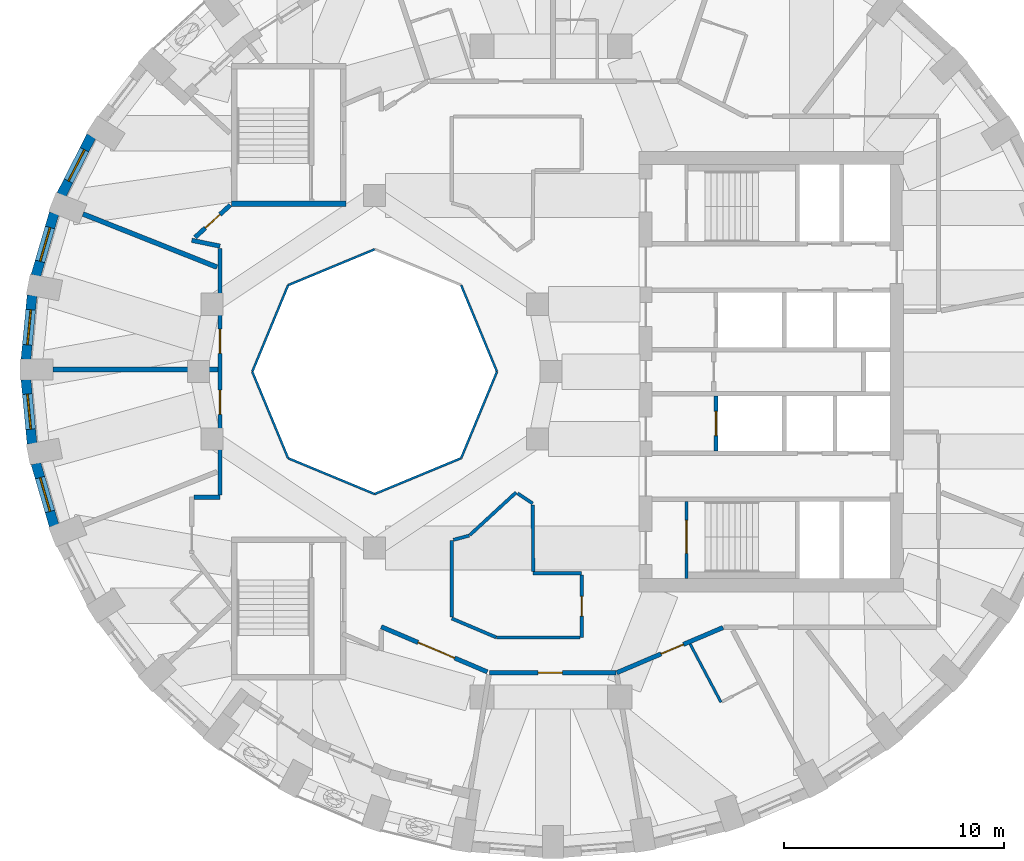
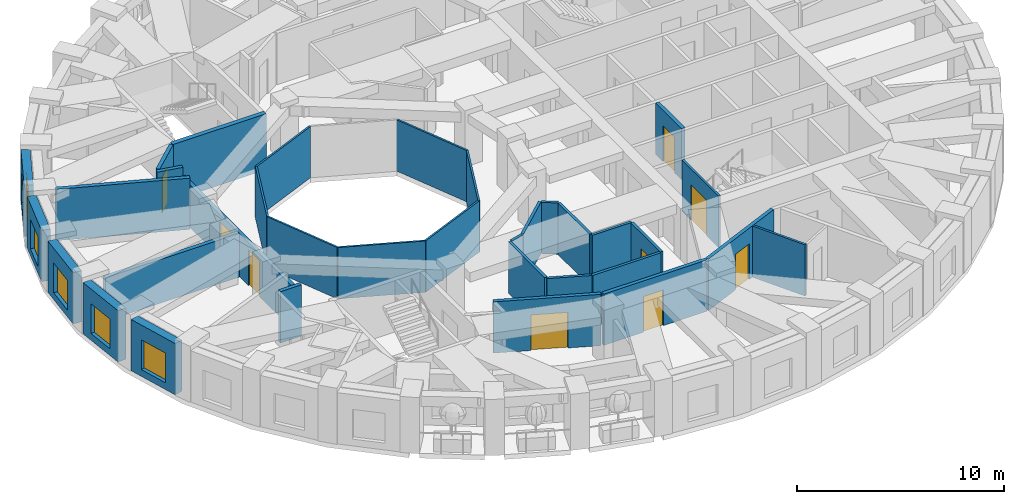
# One storey, part 4 of 12: 34 walls, 9 doors, 5 windows, 14 openings.
"""IFC4 building model written with IfcOpenShell, lengths in metres."""

from ifc_helpers import new_model, si_unit, direction, frame, frame_2d, origin, place, context, subcontext, project, spatial, rectangle, extrude, material, layer, layer_set, type_object, element, fill, save


model = new_model("IFC4")

# Units and contexts
model_context = context("Model", 3, precision=1e-05, world=origin(), true_north=direction((0.0, 1.0)))
body_context = subcontext(model_context, "Body", "Model", "MODEL_VIEW")
ifc_project = project(units=[si_unit("LENGTHUNIT", "METRE"), si_unit("AREAUNIT", "SQUARE_METRE"), si_unit("VOLUMEUNIT", "CUBIC_METRE"), si_unit("PLANEANGLEUNIT", "RADIAN"), si_unit("MASSUNIT", "GRAM", prefix="KILO")], contexts=[model_context])

# Site, building, storey
site_placement = place(None, origin())
site = spatial("IfcSite", under=ifc_project, at=site_placement, CompositionType="ELEMENT")
building_placement = place(site_placement, origin())
building = spatial("IfcBuilding", under=site, at=building_placement, Name="Taillehof Tower", CompositionType="ELEMENT")
storey_placement = place(building_placement, frame((0.0, 0.0, 164.89990234375)))
storey = spatial("IfcBuildingStorey", under=building, at=storey_placement, Name="L46", CompositionType="ELEMENT", Elevation=164.89990234375)

# Walls
ifc_material_1 = material(Name="Fire-resisting glass in steel frame", Category="steel")
ifc_layer_1 = layer(ifc_material_1, 0.10009765625)
ifc_layer_set_1 = layer_set([ifc_layer_1], Name="Atrium fire-resisting screen EI 60 100")
wall_type_1 = type_object("IfcWallType", Name="Atrium fire-resisting screen EI 60 100", PredefinedType="PARTITIONING", material=ifc_layer_set_1)
for number, where, z_axis, x_axis, name in (
    (1, (-2.44580078125, 0.0, 0.0), (0.0, 0.0, 1.0), (-0.382730523909, -0.923860025149, 0.0), "Atrium screen"),
    (2, (-4.07275390625, -3.92724609375, 0.0), (0.0, 0.0, 1.0), (-0.923860025149, -0.382730523909, 0.0), "Atrium screen"),
    (3, (-8.0, -5.55419921875, 0.0), (0.0, 0.0, 1.0), (-0.923860025149, 0.382730523909, 0.0), "Atrium screen"),
    (4, (-11.92724609375, -3.92724609375, 0.0), (0.0, 0.0, 1.0), (-0.382730523909, 0.923860025149, 0.0), "Atrium screen"),
    (5, (-13.55419921875, 0.0, 0.0), (0.0, 0.0, 1.0), (0.382730523909, 0.923860025149, 0.0), "Atrium screen"),
    (6, (-11.92724609375, 3.92724609375, 0.0), (0.0, 0.0, 1.0), (0.923860025149, 0.382730523909, 0.0), "Atrium screen"),
    (7, (-4.07275390625, 3.92724609375, 0.0), (0.0, 0.0, 1.0), (0.382730523909, -0.923860025149, 0.0), "Atrium screen"),
):
    element("IfcWall", number, at=place(storey_placement, frame(where, z_axis=z_axis, x_axis=x_axis)), inside=storey, type_object=wall_type_1, Name=name, PredefinedType="PARTITIONING", context=body_context, shape_type="SweptSolid", body=[
        extrude(rectangle(XDim=4.2509765625, YDim=0.10009765625, at=frame_2d((2.12548828125, 0.0))), origin(), (0.0, 0.0, 1.0), 3.02001953125),
    ])

# Wall, opening, window
ifc_material_2 = material(Name="Brick masonry", Category="masonry")
ifc_layer_2 = layer(ifc_material_2, 0.449951171875)
ifc_layer_set_2 = layer_set([ifc_layer_2], Name="Brick infill wall 450")
wall_type_2 = type_object("IfcWallType", Name="Brick infill wall 450", PredefinedType="SOLIDWALL", material=ifc_layer_set_2)
wall_1_placement = place(storey_placement, frame((-20.859375, 10.697021484375, 0.0), z_axis=(0.0, 0.0, 1.0), x_axis=(-0.454133999889, -0.890933392653, 0.0)))
wall_1 = element("IfcWall", 8, at=wall_1_placement, inside=storey, type_object=wall_type_2, Name="Brick wall L46 bay 16", PredefinedType="SOLIDWALL", context=body_context, shape_type="SweptSolid", body=[
    extrude(rectangle(XDim=2.98583984375, YDim=0.449951171875, at=frame_2d((1.492919921875, 0.0))), origin(), (0.0, 0.0, 1.0), 3.02001953125),
])
opening_1_placement = place(wall_1_placement, frame((0.69287109375, 0.0, 0.39990234375)))
opening_1 = element("IfcOpeningElement", 9, at=opening_1_placement, cuts=wall_1, Name="Opening W3", PredefinedType="OPENING", context=body_context, shape_type="SweptSolid", body=[
    extrude(rectangle(XDim=1.60009765625, YDim=1.75, at=frame_2d((0.800048828125, 0.875))), frame((0.0, 0.23486328125, 0.0), z_axis=(0.0, -1.0, 0.0), x_axis=(1.0, 0.0, 0.0)), (0.0, 0.0, 1.0), 0.469970703125),
])
ifc_material_3 = material(Name="Aluminium window frame with clear double glazing", Category="aluminium")
window_type = type_object("IfcWindowType", Name="Deep-set window 1600x1750", PartitioningType="SINGLE_PANEL", PredefinedType="WINDOW", material=ifc_material_3)
window_1_placement = place(opening_1_placement, origin())
window_1 = element("IfcWindow", 10, at=window_1_placement, inside=storey, type_object=window_type, Name="W3", OverallHeight=1.75, OverallWidth=1.60009765625, PartitioningType="SINGLE_PANEL", PredefinedType="WINDOW", context=body_context, shape_type="SweptSolid", body=[
    extrude(rectangle(XDim=1.60009765625, YDim=1.75, at=frame_2d((0.800048828125, 0.875))), frame((0.0, 0.034912109375, 0.0), z_axis=(0.0, -1.0, 0.0), x_axis=(1.0, 0.0, 0.0)), (0.0, 0.0, 1.0), 0.06005859375),
])
fill(opening_1, window_1)

wall_2_placement = place(storey_placement, frame((-22.55126953125, 7.19091796875, 0.0), z_axis=(0.0, 0.0, 1.0), x_axis=(-0.281125768296, -0.959670934435, 0.0)))
wall_2 = element("IfcWall", 11, at=wall_2_placement, inside=storey, type_object=wall_type_2, Name="Brick wall L46 bay 17", PredefinedType="SOLIDWALL", context=body_context, shape_type="SweptSolid", body=[
    extrude(rectangle(XDim=2.947509765625, YDim=0.449951171875, at=frame_2d((1.4736328125, 0.0))), origin(), (0.0, 0.0, 1.0), 3.02001953125),
])
opening_2_placement = place(wall_2_placement, frame((0.673583984375, 0.0, 0.39990234375)))
opening_2 = element("IfcOpeningElement", 12, at=opening_2_placement, cuts=wall_2, Name="Opening W3", PredefinedType="OPENING", context=body_context, shape_type="SweptSolid", body=[
    extrude(rectangle(XDim=1.60009765625, YDim=1.75, at=frame_2d((0.800048828125, 0.875))), frame((0.0, 0.23486328125, 0.0), z_axis=(0.0, -1.0, 0.0), x_axis=(1.0, 0.0, 0.0)), (0.0, 0.0, 1.0), 0.469970703125),
])
window_2_placement = place(opening_2_placement, origin())
window_2 = element("IfcWindow", 13, at=window_2_placement, inside=storey, type_object=window_type, Name="W3", OverallHeight=1.75, OverallWidth=1.60009765625, PartitioningType="SINGLE_PANEL", PredefinedType="WINDOW", context=body_context, shape_type="SweptSolid", body=[
    extrude(rectangle(XDim=1.60009765625, YDim=1.75, at=frame_2d((0.800048828125, 0.875))), frame((0.0, 0.034912109375, 0.0), z_axis=(0.0, -1.0, 0.0), x_axis=(1.0, 0.0, 0.0)), (0.0, 0.0, 1.0), 0.06005859375),
])
fill(opening_2, window_2)

wall_3_placement = place(storey_placement, frame((-23.5517578125, 3.468505859375, 0.0), z_axis=(0.0, 0.0, 1.0), x_axis=(-0.095265737322, -0.995451876935, 0.0)))
wall_3 = element("IfcWall", 14, at=wall_3_placement, inside=storey, type_object=wall_type_2, Name="Brick wall L46 bay 18", PredefinedType="SOLIDWALL", context=body_context, shape_type="SweptSolid", body=[
    extrude(rectangle(XDim=2.9267578125, YDim=0.449951171875, at=frame_2d((1.46337890625, 0.0))), origin(), (0.0, 0.0, 1.0), 3.02001953125),
])
opening_3_placement = place(wall_3_placement, frame((0.663330078125, 0.0, 0.39990234375)))
opening_3 = element("IfcOpeningElement", 15, at=opening_3_placement, cuts=wall_3, Name="Opening W3", PredefinedType="OPENING", context=body_context, shape_type="SweptSolid", body=[
    extrude(rectangle(XDim=1.60009765625, YDim=1.75, at=frame_2d((0.800048828125, 0.875))), frame((0.0, 0.23486328125, 0.0), z_axis=(0.0, -1.0, 0.0), x_axis=(1.0, 0.0, 0.0)), (0.0, 0.0, 1.0), 0.469970703125),
])
window_3_placement = place(opening_3_placement, origin())
window_3 = element("IfcWindow", 16, at=window_3_placement, inside=storey, type_object=window_type, Name="W3", OverallHeight=1.75, OverallWidth=1.60009765625, PartitioningType="SINGLE_PANEL", PredefinedType="WINDOW", context=body_context, shape_type="SweptSolid", body=[
    extrude(rectangle(XDim=1.60009765625, YDim=1.75, at=frame_2d((0.800048828125, 0.875))), frame((0.0, 0.034912109375, 0.0), z_axis=(0.0, -1.0, 0.0), x_axis=(1.0, 0.0, 0.0)), (0.0, 0.0, 1.0), 0.06005859375),
])
fill(opening_3, window_3)

wall_4_placement = place(storey_placement, frame((-23.83056640625, -0.35498046875, 0.0), z_axis=(0.0, 0.0, 1.0), x_axis=(0.095257827044, -0.995452633924, 0.0)))
wall_4 = element("IfcWall", 17, at=wall_4_placement, inside=storey, type_object=wall_type_2, Name="Brick wall L46 bay 19", PredefinedType="SOLIDWALL", context=body_context, shape_type="SweptSolid", body=[
    extrude(rectangle(XDim=2.927001953125, YDim=0.449951171875, at=frame_2d((1.46337890625, 0.0))), origin(), (0.0, 0.0, 1.0), 3.02001953125),
])
opening_4_placement = place(wall_4_placement, frame((0.663330078125, 0.0, 0.39990234375)))
opening_4 = element("IfcOpeningElement", 18, at=opening_4_placement, cuts=wall_4, Name="Opening W3", PredefinedType="OPENING", context=body_context, shape_type="SweptSolid", body=[
    extrude(rectangle(XDim=1.60009765625, YDim=1.75, at=frame_2d((0.800048828125, 0.875))), frame((0.0, 0.23486328125, 0.0), z_axis=(0.0, -1.0, 0.0), x_axis=(1.0, 0.0, 0.0)), (0.0, 0.0, 1.0), 0.469970703125),
])
window_4_placement = place(opening_4_placement, origin())
window_4 = element("IfcWindow", 19, at=window_4_placement, inside=storey, type_object=window_type, Name="W3", OverallHeight=1.75, OverallWidth=1.60009765625, PartitioningType="SINGLE_PANEL", PredefinedType="WINDOW", context=body_context, shape_type="SweptSolid", body=[
    extrude(rectangle(XDim=1.60009765625, YDim=1.75, at=frame_2d((0.800048828125, 0.875))), frame((0.0, 0.034912109375, 0.0), z_axis=(0.0, -1.0, 0.0), x_axis=(1.0, 0.0, 0.0)), (0.0, 0.0, 1.0), 0.06005859375),
])
fill(opening_4, window_4)

wall_5_placement = place(storey_placement, frame((-23.3798828125, -4.162353515625, 0.0), z_axis=(0.0, 0.0, 1.0), x_axis=(0.281125768296, -0.959670934435, 0.0)))
wall_5 = element("IfcWall", 20, at=wall_5_placement, inside=storey, type_object=wall_type_2, Name="Brick wall L46 bay 20", PredefinedType="SOLIDWALL", context=body_context, shape_type="SweptSolid", body=[
    extrude(rectangle(XDim=2.947509765625, YDim=0.449951171875, at=frame_2d((1.4736328125, 0.0))), origin(), (0.0, 0.0, 1.0), 3.02001953125),
])
opening_5_placement = place(wall_5_placement, frame((0.673583984375, 0.0, 0.39990234375)))
opening_5 = element("IfcOpeningElement", 21, at=opening_5_placement, cuts=wall_5, Name="Opening W3", PredefinedType="OPENING", context=body_context, shape_type="SweptSolid", body=[
    extrude(rectangle(XDim=1.60009765625, YDim=1.75, at=frame_2d((0.800048828125, 0.875))), frame((0.0, 0.23486328125, 0.0), z_axis=(0.0, -1.0, 0.0), x_axis=(1.0, 0.0, 0.0)), (0.0, 0.0, 1.0), 0.469970703125),
])
window_5_placement = place(opening_5_placement, origin())
window_5 = element("IfcWindow", 22, at=window_5_placement, inside=storey, type_object=window_type, Name="W3", OverallHeight=1.75, OverallWidth=1.60009765625, PartitioningType="SINGLE_PANEL", PredefinedType="WINDOW", context=body_context, shape_type="SweptSolid", body=[
    extrude(rectangle(XDim=1.60009765625, YDim=1.75, at=frame_2d((0.800048828125, 0.875))), frame((0.0, 0.034912109375, 0.0), z_axis=(0.0, -1.0, 0.0), x_axis=(1.0, 0.0, 0.0)), (0.0, 0.0, 1.0), 0.06005859375),
])
fill(opening_5, window_5)

# Wall
ifc_material_4 = material(Name="Gypsum board on steel studs, two layers each side", Category="steel")
ifc_layer_3 = layer(ifc_material_4, 0.199951171875)
ifc_layer_set_3 = layer_set([ifc_layer_3], Name="Compartment wall corridor 200")
wall_type_3 = type_object("IfcWallType", Name="Compartment wall corridor 200", PredefinedType="PARTITIONING", material=ifc_layer_set_3)
wall_6_placement = place(storey_placement, frame((-15.0185546875, 5.699951171875, 0.0), z_axis=(0.0, 0.0, 1.0), x_axis=(-0.979555577822, 0.201173730785, 0.0)))
element("IfcWall", 23, at=wall_6_placement, inside=storey, type_object=wall_type_3, Name="Compartment wall", PredefinedType="PARTITIONING", context=body_context, shape_type="SweptSolid", body=[
    extrude(rectangle(XDim=1.308349609375, YDim=0.199951171875, at=frame_2d((0.654296875, 0.0))), origin(), (0.0, 0.0, 1.0), 3.02001953125),
])

# Wall, opening, door
wall_7_placement = place(storey_placement, frame((-16.153564453125, 6.097412109375, 0.0), z_axis=(0.0, 0.0, 1.0), x_axis=(0.736958194284, 0.675938325498, 0.0)))
wall_7 = element("IfcWall", 24, at=wall_7_placement, inside=storey, type_object=wall_type_3, Name="Compartment wall", PredefinedType="PARTITIONING", context=body_context, shape_type="SweptSolid", body=[
    extrude(rectangle(XDim=2.172607421875, YDim=0.199951171875, at=frame_2d((1.08642578125, 0.0))), origin(), (0.0, 0.0, 1.0), 3.02001953125),
])
opening_6_placement = place(wall_7_placement, frame((0.63623046875, 0.0, 0.0)))
opening_6 = element("IfcOpeningElement", 25, at=opening_6_placement, cuts=wall_7, Name="Opening D4647", PredefinedType="OPENING", context=body_context, shape_type="SweptSolid", body=[
    extrude(rectangle(XDim=0.89990234375, YDim=2.10009765625, at=frame_2d((0.449951171875, 1.050048828125))), frame((0.0, 0.10986328125, 0.0), z_axis=(0.0, -1.0, 0.0), x_axis=(1.0, 0.0, 0.0)), (0.0, 0.0, 1.0), 0.219970703125),
])
ifc_material_5 = material(Name="Timber door leaf in steel frame", Category="steel")
door_type_1 = type_object("IfcDoorType", Name="Service room door EI 30 900 x 2100", OperationType="SINGLE_SWING_LEFT", PredefinedType="DOOR", material=ifc_material_5)
door_1_placement = place(opening_6_placement, origin())
door_1 = element("IfcDoor", 26, at=door_1_placement, inside=storey, type_object=door_type_1, Name="D4647", OperationType="SINGLE_SWING_RIGHT", OverallHeight=2.10009765625, OverallWidth=0.89990234375, PredefinedType="DOOR", context=body_context, shape_type="SweptSolid", body=[
    extrude(rectangle(XDim=0.89990234375, YDim=2.10009765625, at=frame_2d((0.449951171875, 1.050048828125))), frame((0.0, 0.02490234375, 0.0), z_axis=(0.0, -1.0, 0.0), x_axis=(1.0, 0.0, 0.0)), (0.0, 0.0, 1.0), 0.050048828125),
])
fill(opening_6, door_1)

wall_8_placement = place(storey_placement, frame((7.81640625, -11.61572265625, 0.0), z_axis=(0.0, 0.0, 1.0), x_axis=(-0.92017534212, -0.391506500271, 0.0)))
wall_8 = element("IfcWall", 27, at=wall_8_placement, inside=storey, type_object=wall_type_3, Name="Compartment wall", PredefinedType="PARTITIONING", context=body_context, shape_type="SweptSolid", body=[
    extrude(rectangle(XDim=5.241943359375, YDim=0.199951171875, at=frame_2d((2.62109375, 0.0))), origin(), (0.0, 0.0, 1.0), 3.02001953125),
])
opening_7_placement = place(wall_8_placement, frame((1.958740234375, 0.0, 0.0)))
opening_7 = element("IfcOpeningElement", 28, at=opening_7_placement, cuts=wall_8, Name="Opening D4654", PredefinedType="OPENING", context=body_context, shape_type="SweptSolid", body=[
    extrude(rectangle(XDim=1.10009765625, YDim=2.10009765625, at=frame_2d((0.550048828125, 1.050048828125))), frame((0.0, 0.10986328125, 0.0), z_axis=(0.0, -1.0, 0.0), x_axis=(1.0, 0.0, 0.0)), (0.0, 0.0, 1.0), 0.219970703125),
])
ifc_material_6 = material(Name="Timber door leaf in steel frame", Category="steel")
door_type_2 = type_object("IfcDoorType", Name="Suite entrance door EI 30 1100 x 2100", OperationType="SINGLE_SWING_LEFT", PredefinedType="DOOR", material=ifc_material_6)
door_2_placement = place(opening_7_placement, origin())
door_2 = element("IfcDoor", 29, at=door_2_placement, inside=storey, type_object=door_type_2, Name="D4654", OperationType="SINGLE_SWING_LEFT", OverallHeight=2.10009765625, OverallWidth=1.10009765625, PredefinedType="DOOR", context=body_context, shape_type="SweptSolid", body=[
    extrude(rectangle(XDim=1.10009765625, YDim=2.10009765625, at=frame_2d((0.550048828125, 1.050048828125))), frame((0.0, 0.02490234375, 0.0), z_axis=(0.0, -1.0, 0.0), x_axis=(1.0, 0.0, 0.0)), (0.0, 0.0, 1.0), 0.050048828125),
])
fill(opening_7, door_2)

wall_9_placement = place(storey_placement, frame((2.952880859375, -13.66796875, 0.0), z_axis=(0.0, 0.0, 1.0), x_axis=(-1.0, 0.0, 0.0)))
wall_9 = element("IfcWall", 30, at=wall_9_placement, inside=storey, type_object=wall_type_3, Name="Compartment wall", PredefinedType="PARTITIONING", context=body_context, shape_type="SweptSolid", body=[
    extrude(rectangle(XDim=5.745849609375, YDim=0.199951171875, at=frame_2d((2.873046875, 0.0))), origin(), (0.0, 0.0, 1.0), 3.02001953125),
])
opening_8_placement = place(wall_9_placement, frame((2.4267578125, 0.0, 0.0)))
opening_8 = element("IfcOpeningElement", 31, at=opening_8_placement, cuts=wall_9, Name="Opening D4653", PredefinedType="OPENING", context=body_context, shape_type="SweptSolid", body=[
    extrude(rectangle(XDim=1.10009765625, YDim=2.10009765625, at=frame_2d((0.550048828125, 1.050048828125))), frame((0.0, 0.10986328125, 0.0), z_axis=(0.0, -1.0, 0.0), x_axis=(1.0, 0.0, 0.0)), (0.0, 0.0, 1.0), 0.219970703125),
])
door_3_placement = place(opening_8_placement, origin())
door_3 = element("IfcDoor", 32, at=door_3_placement, inside=storey, type_object=door_type_2, Name="D4653", OperationType="SINGLE_SWING_RIGHT", OverallHeight=2.10009765625, OverallWidth=1.10009765625, PredefinedType="DOOR", context=body_context, shape_type="SweptSolid", body=[
    extrude(rectangle(XDim=1.10009765625, YDim=2.10009765625, at=frame_2d((0.550048828125, 1.050048828125))), frame((0.0, 0.02490234375, 0.0), z_axis=(0.0, -1.0, 0.0), x_axis=(1.0, 0.0, 0.0)), (0.0, 0.0, 1.0), 0.050048828125),
])
fill(opening_8, door_3)

wall_10_placement = place(storey_placement, frame((-2.884521484375, -13.62890625, 0.0), z_axis=(0.0, 0.0, 1.0), x_axis=(-0.920174661578, 0.391508099775, 0.0)))
wall_10 = element("IfcWall", 33, at=wall_10_placement, inside=storey, type_object=wall_type_3, Name="Compartment wall", PredefinedType="PARTITIONING", context=body_context, shape_type="SweptSolid", body=[
    extrude(rectangle(XDim=5.233154296875, YDim=0.199951171875, at=frame_2d((2.61669921875, 0.0))), origin(), (0.0, 0.0, 1.0), 3.02001953125),
])
opening_9_placement = place(wall_10_placement, frame((1.611572265625, 0.0, 0.0)))
opening_9 = element("IfcOpeningElement", 34, at=opening_9_placement, cuts=wall_10, Name="Opening D4652", PredefinedType="OPENING", context=body_context, shape_type="SweptSolid", body=[
    extrude(rectangle(XDim=1.800048828125, YDim=2.10009765625, at=frame_2d((0.89990234375, 1.050048828125))), frame((0.0, 0.10986328125, 0.0), z_axis=(0.0, -1.0, 0.0), x_axis=(1.0, 0.0, 0.0)), (0.0, 0.0, 1.0), 0.219970703125),
])
ifc_material_7 = material(Name="Timber door leaf in steel frame", Category="steel")
door_type_3 = type_object("IfcDoorType", Name="Lounge and meeting room double door EI 30 1800 x 2100", OperationType="SINGLE_SWING_LEFT", PredefinedType="DOOR", material=ifc_material_7)
door_4_placement = place(opening_9_placement, origin())
door_4 = element("IfcDoor", 35, at=door_4_placement, inside=storey, type_object=door_type_3, Name="D4652", OperationType="DOUBLE_DOOR_SINGLE_SWING", OverallHeight=2.10009765625, OverallWidth=1.800048828125, PredefinedType="DOOR", context=body_context, shape_type="SweptSolid", body=[
    extrude(rectangle(XDim=1.800048828125, YDim=2.10009765625, at=frame_2d((0.89990234375, 1.050048828125))), frame((0.0, 0.02490234375, 0.0), z_axis=(0.0, -1.0, 0.0), x_axis=(1.0, 0.0, 0.0)), (0.0, 0.0, 1.0), 0.050048828125),
])
fill(opening_9, door_4)

# Wall
wall_11_placement = place(storey_placement, frame((-16.199951171875, -5.699951171875, 0.0), z_axis=(0.0, 0.0, 1.0), x_axis=(1.0, 0.0, 0.0)))
element("IfcWall", 36, at=wall_11_placement, inside=storey, type_object=wall_type_3, Name="Compartment wall", PredefinedType="PARTITIONING", context=body_context, shape_type="SweptSolid", body=[
    extrude(rectangle(XDim=1.181396484375, YDim=0.199951171875, at=frame_2d((0.5908203125, 0.0))), origin(), (0.0, 0.0, 1.0), 3.02001953125),
])

# Wall, openings, doors
wall_12_placement = place(storey_placement, frame((-15.0185546875, -5.599853515625, 0.0), z_axis=(0.0, 0.0, 1.0), x_axis=(0.0, 1.0, 0.0)))
wall_12 = element("IfcWall", 37, at=wall_12_placement, inside=storey, type_object=wall_type_3, Name="Compartment wall", PredefinedType="PARTITIONING", context=body_context, shape_type="SweptSolid", body=[
    extrude(rectangle(XDim=11.19970703125, YDim=0.199951171875, at=frame_2d((5.599853515625, 0.0))), origin(), (0.0, 0.0, 1.0), 2.52001953125),
])
opening_10_placement = place(wall_12_placement, frame((6.435546875, 0.0, 0.0)))
opening_10 = element("IfcOpeningElement", 38, at=opening_10_placement, cuts=wall_12, Name="Opening D4648", PredefinedType="OPENING", context=body_context, shape_type="SweptSolid", body=[
    extrude(rectangle(XDim=1.10009765625, YDim=2.10009765625, at=frame_2d((0.550048828125, 1.050048828125))), frame((0.0, 0.10986328125, 0.0), z_axis=(0.0, -1.0, 0.0), x_axis=(1.0, 0.0, 0.0)), (0.0, 0.0, 1.0), 0.219970703125),
])
opening_11_placement = place(wall_12_placement, frame((3.663330078125, 0.0, 0.0)))
opening_11 = element("IfcOpeningElement", 39, at=opening_11_placement, cuts=wall_12, Name="Opening D4649", PredefinedType="OPENING", context=body_context, shape_type="SweptSolid", body=[
    extrude(rectangle(XDim=1.10009765625, YDim=2.10009765625, at=frame_2d((0.550048828125, 1.050048828125))), frame((0.0, 0.10986328125, 0.0), z_axis=(0.0, -1.0, 0.0), x_axis=(1.0, 0.0, 0.0)), (0.0, 0.0, 1.0), 0.219970703125),
])
door_5_placement = place(opening_10_placement, origin())
door_5 = element("IfcDoor", 40, at=door_5_placement, inside=storey, type_object=door_type_2, Name="D4648", OperationType="SINGLE_SWING_LEFT", OverallHeight=2.10009765625, OverallWidth=1.10009765625, PredefinedType="DOOR", context=body_context, shape_type="SweptSolid", body=[
    extrude(rectangle(XDim=1.10009765625, YDim=2.10009765625, at=frame_2d((0.550048828125, 1.050048828125))), frame((0.0, 0.02490234375, 0.0), z_axis=(0.0, -1.0, 0.0), x_axis=(1.0, 0.0, 0.0)), (0.0, 0.0, 1.0), 0.050048828125),
])
fill(opening_10, door_5)
door_6_placement = place(opening_11_placement, origin())
door_6 = element("IfcDoor", 41, at=door_6_placement, inside=storey, type_object=door_type_2, Name="D4649", OperationType="SINGLE_SWING_RIGHT", OverallHeight=2.10009765625, OverallWidth=1.10009765625, PredefinedType="DOOR", context=body_context, shape_type="SweptSolid", body=[
    extrude(rectangle(XDim=1.10009765625, YDim=2.10009765625, at=frame_2d((0.550048828125, 1.050048828125))), frame((0.0, 0.02490234375, 0.0), z_axis=(0.0, -1.0, 0.0), x_axis=(1.0, 0.0, 0.0)), (0.0, 0.0, 1.0), 0.050048828125),
])
fill(opening_11, door_6)

# Walls
ifc_material_8 = material(Name="Gypsum board on double steel studs with mineral wool", Category="steel")
ifc_layer_4 = layer(ifc_material_8, 0.219970703125)
ifc_layer_set_4 = layer_set([ifc_layer_4], Name="Compartment wall guest room 220")
wall_type_4 = type_object("IfcWallType", Name="Compartment wall guest room 220", PredefinedType="PARTITIONING", material=ifc_layer_set_4)
wall_13_placement = place(storey_placement, frame((-21.23876953125, 7.15966796875, 0.0), z_axis=(0.0, 0.0, 1.0), x_axis=(0.929520145478, -0.368771337215, 0.0)))
element("IfcWall", 42, at=wall_13_placement, inside=storey, type_object=wall_type_4, Name="Compartment wall", PredefinedType="PARTITIONING", context=body_context, shape_type="SweptSolid", body=[
    extrude(rectangle(XDim=6.544189453125, YDim=0.219970703125, at=frame_2d((3.27197265625, 0.0))), origin(), (0.0, 0.0, 1.0), 3.02001953125),
])
wall_14_placement = place(storey_placement, frame((-22.60009765625, 0.10009765625, 0.0), z_axis=(0.0, 0.0, 1.0), x_axis=(1.0, 0.0, 0.0)))
element("IfcWall", 43, at=wall_14_placement, inside=storey, type_object=wall_type_4, Name="Compartment wall", PredefinedType="PARTITIONING", context=body_context, shape_type="SweptSolid", body=[
    extrude(rectangle(XDim=7.4814453125, YDim=0.219970703125, at=frame_2d((3.74072265625, 0.0))), origin(), (0.0, 0.0, 1.0), 2.570068359375),
])
ifc_material_9 = material(Name="Gypsum board on steel studs, two layers each side", Category="steel")
ifc_layer_5 = layer(ifc_material_9, 0.14990234375)
ifc_layer_set_5 = layer_set([ifc_layer_5], Name="Compartment wall service room 150")
wall_type_5 = type_object("IfcWallType", Name="Compartment wall service room 150", PredefinedType="PARTITIONING", material=ifc_layer_set_5)
wall_15_placement = place(storey_placement, frame((-0.800048828125, -9.14990234375, 0.0), z_axis=(0.0, 0.0, 1.0), x_axis=(1.0, 0.0, 0.0)))
element("IfcWall", 44, at=wall_15_placement, inside=storey, type_object=wall_type_5, Name="Compartment wall", PredefinedType="PARTITIONING", context=body_context, shape_type="SweptSolid", body=[
    extrude(rectangle(XDim=2.199951171875, YDim=0.14990234375, at=frame_2d((1.10009765625, 0.0))), origin(), (0.0, 0.0, 1.0), 3.02001953125),
])

# Wall, opening, door
wall_16_placement = place(storey_placement, frame((1.39990234375, -9.22998046875, 0.0), z_axis=(0.0, 0.0, 1.0), x_axis=(0.0, -1.0, 0.0)))
wall_16 = element("IfcWall", 45, at=wall_16_placement, inside=storey, type_object=wall_type_5, Name="Compartment wall", PredefinedType="PARTITIONING", context=body_context, shape_type="SweptSolid", body=[
    extrude(rectangle(XDim=2.837890625, YDim=0.14990234375, at=frame_2d((1.4189453125, 0.0))), origin(), (0.0, 0.0, 1.0), 3.02001953125),
])
opening_12_placement = place(wall_16_placement, frame((0.968994140625, 0.0, 0.0)))
opening_12 = element("IfcOpeningElement", 46, at=opening_12_placement, cuts=wall_16, Name="Opening D4661", PredefinedType="OPENING", context=body_context, shape_type="SweptSolid", body=[
    extrude(rectangle(XDim=0.89990234375, YDim=2.10009765625, at=frame_2d((0.449951171875, 1.050048828125))), frame((0.0, 0.0849609375, 0.0), z_axis=(0.0, -1.0, 0.0), x_axis=(1.0, 0.0, 0.0)), (0.0, 0.0, 1.0), 0.169921875),
])
door_7_placement = place(opening_12_placement, origin())
door_7 = element("IfcDoor", 47, at=door_7_placement, inside=storey, type_object=door_type_1, Name="D4661", OperationType="SINGLE_SWING_LEFT", OverallHeight=2.10009765625, OverallWidth=0.89990234375, PredefinedType="DOOR", context=body_context, shape_type="SweptSolid", body=[
    extrude(rectangle(XDim=0.89990234375, YDim=2.10009765625, at=frame_2d((0.449951171875, 1.050048828125))), frame((0.0, 0.02490234375, 0.0), z_axis=(0.0, -1.0, 0.0), x_axis=(1.0, 0.0, 0.0)), (0.0, 0.0, 1.0), 0.050048828125),
])
fill(opening_12, door_7)

# Walls
wall_17_placement = place(storey_placement, frame((1.31982421875, -12.06787109375, 0.0), z_axis=(0.0, 0.0, 1.0), x_axis=(-1.0, 0.0, 0.0)))
element("IfcWall", 48, at=wall_17_placement, inside=storey, type_object=wall_type_5, Name="Compartment wall", PredefinedType="PARTITIONING", context=body_context, shape_type="SweptSolid", body=[
    extrude(rectangle(XDim=3.786376953125, YDim=0.14990234375, at=frame_2d((1.89306640625, 0.0))), origin(), (0.0, 0.0, 1.0), 3.02001953125),
])
wall_18_placement = place(storey_placement, frame((-2.48486328125, -12.06005859375, 0.0), z_axis=(0.0, 0.0, 1.0), x_axis=(-0.920208468563, 0.391428632557, 0.0)))
element("IfcWall", 49, at=wall_18_placement, inside=storey, type_object=wall_type_5, Name="Compartment wall", PredefinedType="PARTITIONING", context=body_context, shape_type="SweptSolid", body=[
    extrude(rectangle(XDim=2.18994140625, YDim=0.14990234375, at=frame_2d((1.094970703125, 0.0))), origin(), (0.0, 0.0, 1.0), 3.02001953125),
])
wall_19_placement = place(storey_placement, frame((-4.5, -11.142822265625, 0.0), z_axis=(0.0, 0.0, 1.0), x_axis=(0.0, 1.0, 0.0)))
element("IfcWall", 50, at=wall_19_placement, inside=storey, type_object=wall_type_5, Name="Compartment wall", PredefinedType="PARTITIONING", context=body_context, shape_type="SweptSolid", body=[
    extrude(rectangle(XDim=3.48779296875, YDim=0.14990234375, at=frame_2d((1.743896484375, 0.0))), origin(), (0.0, 0.0, 1.0), 3.02001953125),
])
wall_20_placement = place(storey_placement, frame((-4.4228515625, -7.634521484375, 0.0), z_axis=(0.0, 0.0, 1.0), x_axis=(0.965874851679, 0.259009210056, 0.0)))
element("IfcWall", 51, at=wall_20_placement, inside=storey, type_object=wall_type_5, Name="Compartment wall", PredefinedType="PARTITIONING", context=body_context, shape_type="SweptSolid", body=[
    extrude(rectangle(XDim=0.74462890625, YDim=0.14990234375, at=frame_2d((0.372314453125, 0.0))), origin(), (0.0, 0.0, 1.0), 3.02001953125),
])
wall_21_placement = place(storey_placement, frame((-3.67431640625, -7.414306640625, 0.0), z_axis=(0.0, 0.0, 1.0), x_axis=(0.735337612747, 0.677700963021, 0.0)))
element("IfcWall", 52, at=wall_21_placement, inside=storey, type_object=wall_type_5, Name="Compartment wall", PredefinedType="PARTITIONING", context=body_context, shape_type="SweptSolid", body=[
    extrude(rectangle(XDim=2.85498046875, YDim=0.14990234375, at=frame_2d((1.427490234375, 0.0))), origin(), (0.0, 0.0, 1.0), 3.02001953125),
])
wall_22_placement = place(storey_placement, frame((-1.508544921875, -5.5244140625, 0.0), z_axis=(0.0, 0.0, 1.0), x_axis=(0.831777054297, -0.555109837731, 0.0)))
element("IfcWall", 53, at=wall_22_placement, inside=storey, type_object=wall_type_5, Name="Compartment wall", PredefinedType="PARTITIONING", context=body_context, shape_type="SweptSolid", body=[
    extrude(rectangle(XDim=0.8251953125, YDim=0.14990234375, at=frame_2d((0.41259765625, 0.0))), origin(), (0.0, 0.0, 1.0), 3.02001953125),
])
wall_23_placement = place(storey_placement, frame((-0.821533203125, -6.04248046875, 0.0), z_axis=(0.0, 0.0, 1.0), x_axis=(0.006774038121, -0.999977055941, 0.0)))
element("IfcWall", 54, at=wall_23_placement, inside=storey, type_object=wall_type_5, Name="Compartment wall", PredefinedType="PARTITIONING", context=body_context, shape_type="SweptSolid", body=[
    extrude(rectangle(XDim=3.02734375, YDim=0.14990234375, at=frame_2d((1.513671875, 0.0))), origin(), (0.0, 0.0, 1.0), 3.02001953125),
])
ifc_material_10 = material(Name="Gypsum board on steel studs, moisture resistant", Category="steel")
ifc_layer_6 = layer(ifc_material_10, 0.1201171875)
ifc_layer_set_6 = layer_set([ifc_layer_6], Name="En-suite wall 120")
wall_type_6 = type_object("IfcWallType", Name="En-suite wall 120", PredefinedType="PARTITIONING", material=ifc_layer_set_6)
wall_24_placement = place(storey_placement, frame((6.322509765625, -12.360107421875, 0.0), z_axis=(0.0, 0.0, 1.0), x_axis=(0.468059755139, -0.883696817703, 0.0)))
element("IfcWall", 55, at=wall_24_placement, inside=storey, type_object=wall_type_6, Name="En-suite wall", PredefinedType="PARTITIONING", context=body_context, shape_type="SweptSolid", body=[
    extrude(rectangle(XDim=2.999267578125, YDim=0.1201171875, at=frame_2d((1.49951171875, 0.0))), origin(), (0.0, 0.0, 1.0), 3.02001953125),
])

# Wall, opening, door
ifc_material_11 = material(Name="Concrete C50/60", Category="concrete")
ifc_layer_7 = layer(ifc_material_11, 0.199951171875)
ifc_layer_set_7 = layer_set([ifc_layer_7], Name="Shaft wall C50/60 200")
wall_type_7 = type_object("IfcWallType", Name="Shaft wall C50/60 200", PredefinedType="SHEAR", material=ifc_layer_set_7)
wall_25_placement = place(storey_placement, frame((7.5, -3.60009765625, 0.0), z_axis=(0.0, 0.0, 1.0), x_axis=(0.0, 1.0, 0.0)))
wall_25 = element("IfcWall", 56, at=wall_25_placement, inside=storey, type_object=wall_type_7, Name="Shaft wall SW", PredefinedType="SHEAR", context=body_context, shape_type="SweptSolid", body=[
    extrude(rectangle(XDim=2.5, YDim=0.199951171875, at=frame_2d((1.25, 0.0))), origin(), (0.0, 0.0, 1.0), 3.02001953125),
])
opening_13_placement = place(wall_25_placement, frame((0.699951171875, 0.0, 0.0)))
opening_13 = element("IfcOpeningElement", 57, at=opening_13_placement, cuts=wall_25, Name="Opening LD1", PredefinedType="OPENING", context=body_context, shape_type="SweptSolid", body=[
    extrude(rectangle(XDim=1.10009765625, YDim=2.10009765625, at=frame_2d((0.550048828125, 1.050048828125))), frame((0.0, 0.10986328125, 0.0), z_axis=(0.0, -1.0, 0.0), x_axis=(1.0, 0.0, 0.0)), (0.0, 0.0, 1.0), 0.219970703125),
])
ifc_material_12 = material(Name="Stainless steel", Category="steel")
door_type_4 = type_object("IfcDoorType", Name="Lift landing door LD1 1100x2100", OperationType="DOUBLE_DOOR_SLIDING", PredefinedType="DOOR", material=ifc_material_12)
door_8_placement = place(opening_13_placement, origin())
door_8 = element("IfcDoor", 58, at=door_8_placement, inside=storey, type_object=door_type_4, Name="Landing door FF2", OperationType="DOUBLE_DOOR_SLIDING", OverallHeight=2.10009765625, OverallWidth=1.10009765625, PredefinedType="DOOR", context=body_context, shape_type="SweptSolid", body=[
    extrude(rectangle(XDim=1.10009765625, YDim=2.10009765625, at=frame_2d((0.550048828125, 1.050048828125))), frame((0.0, 0.02490234375, 0.0), z_axis=(0.0, -1.0, 0.0), x_axis=(1.0, 0.0, 0.0)), (0.0, 0.0, 1.0), 0.050048828125),
])
fill(opening_13, door_8)

ifc_material_13 = material(Name="Concrete C50/60", Category="concrete")
ifc_layer_8 = layer(ifc_material_13, 0.1201171875)
ifc_layer_set_8 = layer_set([ifc_layer_8], Name="Stair lobby wall C50/60 120")
wall_type_8 = type_object("IfcWallType", Name="Stair lobby wall C50/60 120", PredefinedType="SHEAR", material=ifc_layer_set_8)
wall_26_placement = place(storey_placement, frame((6.159912109375, -9.39990234375, 0.0), z_axis=(0.0, 0.0, 1.0), x_axis=(0.0, 1.0, 0.0)))
wall_26 = element("IfcWall", 59, at=wall_26_placement, inside=storey, type_object=wall_type_8, Name="Compartment wall SW", PredefinedType="SHEAR", context=body_context, shape_type="SweptSolid", body=[
    extrude(rectangle(XDim=3.5, YDim=0.1201171875, at=frame_2d((1.75, 0.0))), origin(), (0.0, 0.0, 1.0), 3.02001953125),
])
opening_14_placement = place(wall_26_placement, frame((1.14990234375, 0.0, 0.0)))
opening_14 = element("IfcOpeningElement", 60, at=opening_14_placement, cuts=wall_26, Name="Opening D4611", PredefinedType="OPENING", context=body_context, shape_type="SweptSolid", body=[
    extrude(rectangle(XDim=1.5, YDim=2.10009765625, at=frame_2d((0.75, 1.050048828125))), frame((0.0, 0.070068359375, 0.0), z_axis=(0.0, -1.0, 0.0), x_axis=(1.0, 0.0, 0.0)), (0.0, 0.0, 1.0), 0.14013671875),
])
ifc_material_14 = material(Name="Steel-faced fire door", Category="steel")
door_type_5 = type_object("IfcDoorType", Name="Stair door 1500x2100", OperationType="DOUBLE_DOOR_SINGLE_SWING", PredefinedType="DOOR", material=ifc_material_14)
door_9_placement = place(opening_14_placement, origin())
door_9 = element("IfcDoor", 61, at=door_9_placement, inside=storey, type_object=door_type_5, Name="Stair lobby door S2", OperationType="DOUBLE_DOOR_SINGLE_SWING", OverallHeight=2.10009765625, OverallWidth=1.5, PredefinedType="DOOR", context=body_context, shape_type="SweptSolid", body=[
    extrude(rectangle(XDim=1.5, YDim=2.10009765625, at=frame_2d((0.75, 1.050048828125))), frame((0.0, 0.02490234375, 0.0), z_axis=(0.0, -1.0, 0.0), x_axis=(1.0, 0.0, 0.0)), (0.0, 0.0, 1.0), 0.050048828125),
])
fill(opening_14, door_9)

# Wall
ifc_material_15 = material(Name="Concrete C50/60", Category="concrete")
ifc_layer_9 = layer(ifc_material_15, 0.25)
ifc_layer_set_9 = layer_set([ifc_layer_9], Name="Stair wall C50/60 250")
wall_type_9 = type_object("IfcWallType", Name="Stair wall C50/60 250", PredefinedType="SHEAR", material=ifc_layer_set_9)
wall_27_placement = place(storey_placement, frame((-14.5, 7.625, -0.27978515625), z_axis=(0.0, 0.0, 1.0), x_axis=(1.0, 0.0, 0.0)))
element("IfcWall", 62, at=wall_27_placement, inside=storey, type_object=wall_type_9, Name="Stair wall SC", PredefinedType="SHEAR", context=body_context, shape_type="SweptSolid", body=[
    extrude(rectangle(XDim=5.199951171875, YDim=0.25, at=frame_2d((2.60009765625, 0.0))), origin(), (0.0, 0.0, 1.0), 3.2998046875),
])

save(model, "model.ifc")
